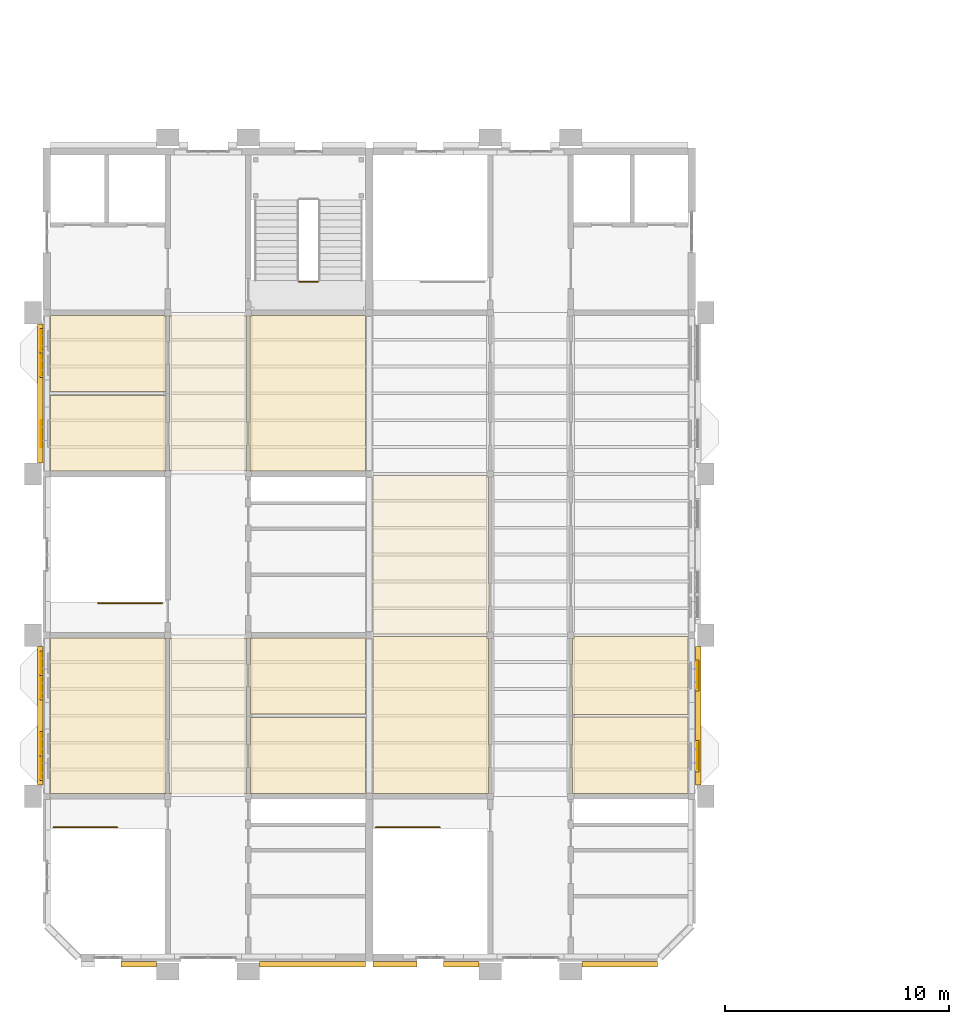
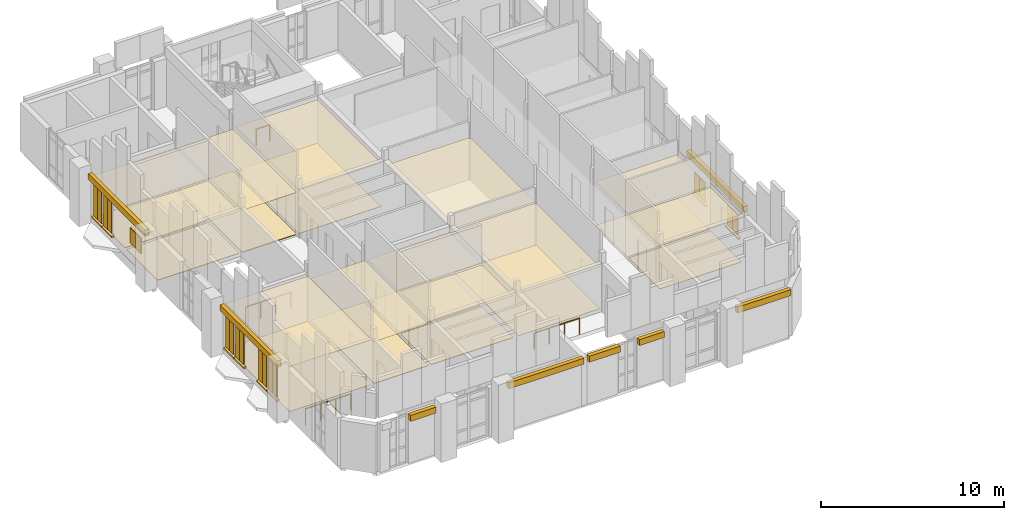
# One storey, part 46 of 51: 57 coverings, 4 railings.
"""IFC4 building model written with IfcOpenShell, lengths in metres."""

from ifc_helpers import new_model, si_unit, direction, frame, origin, origin_2d, place, context, subcontext, project, spatial, polyline, rectangle, circle, outline, extrude, material, layer, layer_set, type_object, element, save


model = new_model("IFC4")

# Units and contexts
model_context = context("Model", 3, precision=1e-05, world=origin(), true_north=direction((0.0, 1.0)))
body_context = subcontext(model_context, "Body", "Model", "MODEL_VIEW")
ifc_project = project(units=[si_unit("LENGTHUNIT", "METRE"), si_unit("AREAUNIT", "SQUARE_METRE"), si_unit("VOLUMEUNIT", "CUBIC_METRE"), si_unit("PLANEANGLEUNIT", "RADIAN"), si_unit("MASSUNIT", "GRAM", prefix="KILO")], contexts=[model_context])

# Site, building, storey
site_placement = place(None, origin())
site = spatial("IfcSite", under=ifc_project, at=site_placement, CompositionType="ELEMENT")
building_placement = place(site_placement, origin())
building = spatial("IfcBuilding", under=site, at=building_placement, Name="Mazhai Court Health Centre", CompositionType="ELEMENT")
storey_placement = place(building_placement, frame((0.0, 0.0, 14.10009765625)))
storey = spatial("IfcBuildingStorey", under=building, at=storey_placement, Name="L03", CompositionType="ELEMENT", Elevation=14.10009765625)

# Coverings
ifc_material_1 = material(Name="Clay brick masonry", Category="masonry")
ifc_layer_1 = layer(ifc_material_1, 0.25)
ifc_layer_set_1 = layer_set([ifc_layer_1], Name="BRICK BAND 250")
covering_type_1 = type_object("IfcCoveringType", Name="BRICK BAND 250", PredefinedType="MOLDING", material=ifc_layer_set_1)
covering_1_placement = place(storey_placement, frame((0.0, 0.0, 2.949951171875)))
element("IfcCovering", 1, at=covering_1_placement, inside=storey, type_object=covering_type_1, Name="EB-V2-L03-A1p0-0", PredefinedType="MOLDING", context=body_context, shape_type="SweptSolid", body=[
    extrude(outline(polyline([(6.034912109375, 13.89990234375), (6.034912109375, 20.10009765625), (5.784912109375, 20.10009765625), (5.784912109375, 13.89990234375), (6.034912109375, 13.89990234375)])), origin(), (0.0, 0.0, 1.0), 0.39990234375),
])
covering_2_placement = place(storey_placement, frame((0.0, 0.0, 2.949951171875)))
element("IfcCovering", 2, at=covering_2_placement, inside=storey, type_object=covering_type_1, Name="EB-V2-L03-A3p0-0", PredefinedType="MOLDING", context=body_context, shape_type="SweptSolid", body=[
    extrude(outline(polyline([(6.034912109375, 28.300048828125), (6.034912109375, 34.5), (5.784912109375, 34.5), (5.784912109375, 28.300048828125), (6.034912109375, 28.300048828125)])), origin(), (0.0, 0.0, 1.0), 0.39990234375),
])
covering_3_placement = place(storey_placement, frame((0.0, 0.0, 2.949951171875)))
element("IfcCovering", 3, at=covering_3_placement, inside=storey, type_object=covering_type_1, Name="EB-V2-L03-Sp1-1", PredefinedType="MOLDING", context=body_context, shape_type="SweptSolid", body=[
    extrude(outline(polyline([(11.10009765625, 6.034912109375), (9.52001953125, 6.034912109375), (9.52001953125, 5.784912109375), (11.10009765625, 5.784912109375), (11.10009765625, 6.034912109375)])), origin(), (0.0, 0.0, 1.0), 0.39990234375),
])
covering_4_placement = place(storey_placement, frame((0.0, 0.0, 2.949951171875)))
element("IfcCovering", 4, at=covering_4_placement, inside=storey, type_object=covering_type_1, Name="EB-V2-L03-Sp2-0", PredefinedType="MOLDING", context=body_context, shape_type="SweptSolid", body=[
    extrude(outline(polyline([(20.43505859375, 6.034912109375), (15.699951171875, 6.034912109375), (15.699951171875, 5.784912109375), (20.43505859375, 5.784912109375), (20.43505859375, 6.034912109375)])), origin(), (0.0, 0.0, 1.0), 0.39990234375),
])
covering_5_placement = place(storey_placement, frame((0.0, 0.0, 2.949951171875)))
element("IfcCovering", 5, at=covering_5_placement, inside=storey, type_object=covering_type_1, Name="EB-V5-L03-B1p0-0", PredefinedType="MOLDING", context=body_context, shape_type="SweptSolid", body=[
    extrude(outline(polyline([(35.1650390625, 20.10009765625), (35.1650390625, 13.89990234375), (35.4150390625, 13.89990234375), (35.4150390625, 20.10009765625), (35.1650390625, 20.10009765625)])), origin(), (0.0, 0.0, 1.0), 0.39990234375),
])
covering_6_placement = place(storey_placement, frame((0.0, 0.0, 2.949951171875)))
element("IfcCovering", 6, at=covering_6_placement, inside=storey, type_object=covering_type_1, Name="EB-V5-L03-Sp0-0", PredefinedType="MOLDING", context=body_context, shape_type="SweptSolid", body=[
    extrude(outline(polyline([(22.719970703125, 6.034912109375), (20.764892578125, 6.034912109375), (20.764892578125, 5.784912109375), (22.719970703125, 5.784912109375), (22.719970703125, 6.034912109375)])), origin(), (0.0, 0.0, 1.0), 0.39990234375),
])
covering_7_placement = place(storey_placement, frame((0.0, 0.0, 2.949951171875)))
element("IfcCovering", 7, at=covering_7_placement, inside=storey, type_object=covering_type_1, Name="EB-V5-L03-Sp1-1", PredefinedType="MOLDING", context=body_context, shape_type="SweptSolid", body=[
    extrude(outline(polyline([(25.5, 6.034912109375), (23.919921875, 6.034912109375), (23.919921875, 5.784912109375), (25.5, 5.784912109375), (25.5, 6.034912109375)])), origin(), (0.0, 0.0, 1.0), 0.39990234375),
])
covering_8_placement = place(storey_placement, frame((0.0, 0.0, 2.949951171875)))
element("IfcCovering", 8, at=covering_8_placement, inside=storey, type_object=covering_type_1, Name="EB-V5-L03-Sp2-0", PredefinedType="MOLDING", context=body_context, shape_type="SweptSolid", body=[
    extrude(outline(polyline([(33.468994140625, 6.034912109375), (30.10009765625, 6.034912109375), (30.10009765625, 5.784912109375), (33.468994140625, 5.784912109375), (33.468994140625, 6.034912109375)])), origin(), (0.0, 0.0, 1.0), 0.39990234375),
])
ifc_material_2 = material(Name="Clay brick masonry", Category="masonry")
ifc_layer_2 = layer(ifc_material_2, 0.14990234375)
ifc_layer_set_2 = layer_set([ifc_layer_2], Name="BRICK SILL COURSE 150")
covering_type_2 = type_object("IfcCoveringType", Name="BRICK SILL COURSE 150", PredefinedType="MOLDING", material=ifc_layer_set_2)
covering_9_placement = place(storey_placement, frame((0.0, 0.0, 0.47998046875)))
element("IfcCovering", 9, at=covering_9_placement, inside=storey, type_object=covering_type_2, Name="ES-WN-V2-L03-A10a", PredefinedType="MOLDING", context=body_context, shape_type="SweptSolid", body=[
    extrude(outline(polyline([(6.034912109375, 14.10009765625), (6.034912109375, 15.199951171875), (5.885009765625, 15.199951171875), (5.885009765625, 14.10009765625), (6.034912109375, 14.10009765625)])), origin(), (0.0, 0.0, 1.0), 0.119873046875),
])
covering_10_placement = place(storey_placement, frame((0.0, 0.0, 0.47998046875)))
element("IfcCovering", 10, at=covering_10_placement, inside=storey, type_object=covering_type_2, Name="ES-WN-V2-L03-A10b", PredefinedType="MOLDING", context=body_context, shape_type="SweptSolid", body=[
    extrude(outline(polyline([(6.034912109375, 15.199951171875), (6.034912109375, 16.300048828125), (5.885009765625, 16.300048828125), (5.885009765625, 15.199951171875), (6.034912109375, 15.199951171875)])), origin(), (0.0, 0.0, 1.0), 0.119873046875),
])
covering_11_placement = place(storey_placement, frame((0.0, 0.0, 0.47998046875)))
element("IfcCovering", 11, at=covering_11_placement, inside=storey, type_object=covering_type_2, Name="ES-WN-V2-L03-A11a", PredefinedType="MOLDING", context=body_context, shape_type="SweptSolid", body=[
    extrude(outline(polyline([(6.034912109375, 17.699951171875), (6.034912109375, 18.800048828125), (5.885009765625, 18.800048828125), (5.885009765625, 17.699951171875), (6.034912109375, 17.699951171875)])), origin(), (0.0, 0.0, 1.0), 0.119873046875),
])
covering_12_placement = place(storey_placement, frame((0.0, 0.0, 0.47998046875)))
element("IfcCovering", 12, at=covering_12_placement, inside=storey, type_object=covering_type_2, Name="ES-WN-V2-L03-A11b", PredefinedType="MOLDING", context=body_context, shape_type="SweptSolid", body=[
    extrude(outline(polyline([(6.034912109375, 18.800048828125), (6.034912109375, 19.89990234375), (5.885009765625, 19.89990234375), (5.885009765625, 18.800048828125), (6.034912109375, 18.800048828125)])), origin(), (0.0, 0.0, 1.0), 0.119873046875),
])
covering_13_placement = place(storey_placement, frame((0.0, 0.0, 0.47998046875)))
element("IfcCovering", 13, at=covering_13_placement, inside=storey, type_object=covering_type_2, Name="ES-WN-V2-L03-A31a", PredefinedType="MOLDING", context=body_context, shape_type="SweptSolid", body=[
    extrude(outline(polyline([(6.034912109375, 32.10009765625), (6.034912109375, 33.199951171875), (5.885009765625, 33.199951171875), (5.885009765625, 32.10009765625), (6.034912109375, 32.10009765625)])), origin(), (0.0, 0.0, 1.0), 0.119873046875),
])
covering_14_placement = place(storey_placement, frame((0.0, 0.0, 0.47998046875)))
element("IfcCovering", 14, at=covering_14_placement, inside=storey, type_object=covering_type_2, Name="ES-WN-V2-L03-A31b", PredefinedType="MOLDING", context=body_context, shape_type="SweptSolid", body=[
    extrude(outline(polyline([(6.034912109375, 33.199951171875), (6.034912109375, 34.300048828125), (5.885009765625, 34.300048828125), (5.885009765625, 33.199951171875), (6.034912109375, 33.199951171875)])), origin(), (0.0, 0.0, 1.0), 0.119873046875),
])
covering_15_placement = place(storey_placement, frame((0.0, 0.0, 0.77978515625)))
element("IfcCovering", 15, at=covering_15_placement, inside=storey, type_object=covering_type_2, Name="ES-WN-V5-L03-B10", PredefinedType="MOLDING", context=body_context, shape_type="SweptSolid", body=[
    extrude(outline(polyline([(35.1650390625, 15.89990234375), (35.1650390625, 14.5), (35.31494140625, 14.5), (35.31494140625, 15.89990234375), (35.1650390625, 15.89990234375)])), origin(), (0.0, 0.0, 1.0), 0.1201171875),
])
covering_16_placement = place(storey_placement, frame((0.0, 0.0, 0.77978515625)))
element("IfcCovering", 16, at=covering_16_placement, inside=storey, type_object=covering_type_2, Name="ES-WN-V5-L03-B11", PredefinedType="MOLDING", context=body_context, shape_type="SweptSolid", body=[
    extrude(outline(polyline([(35.1650390625, 19.5), (35.1650390625, 18.10009765625), (35.31494140625, 18.10009765625), (35.31494140625, 19.5), (35.1650390625, 19.5)])), origin(), (0.0, 0.0, 1.0), 0.1201171875),
])
ifc_material_3 = material(Name="Gypsum plasterboard ceiling")
ifc_layer_3 = layer(ifc_material_3, 0.02001953125)
ifc_layer_set_3 = layer_set([ifc_layer_3], Name="CEILING GYPSUM BOARD 20")
covering_type_3 = type_object("IfcCoveringType", Name="CEILING GYPSUM BOARD 20", PredefinedType="CEILING", material=ifc_layer_set_3)
covering_17_placement = place(storey_placement, frame((0.0, 0.0, 2.7998046875)))
element("IfcCovering", 17, at=covering_17_placement, inside=storey, type_object=covering_type_3, Name="ceil-V2-L03-A1-ot-ahu-plant-room", PredefinedType="CEILING", context=body_context, shape_type="SweptSolid", body=[
    extrude(outline(polyline([(11.4599609375, 27.925048828125), (11.4599609375, 27.93994140625), (11.512451171875, 27.93994140625), (11.512451171875, 31.3125), (6.364990234375, 31.3125), (6.364990234375, 27.925048828125), (11.4599609375, 27.925048828125)])), origin(), (0.0, 0.0, 1.0), 0.02001953125),
])
covering_18_placement = place(storey_placement, frame((0.0, 0.0, 2.7998046875)))
element("IfcCovering", 18, at=covering_18_placement, inside=storey, type_object=covering_type_3, Name="ceil-V2-L03-A1-operating-suite-power-distribution-room", PredefinedType="CEILING", context=body_context, shape_type="SweptSolid", body=[
    extrude(outline(polyline([(11.512451171875, 34.860107421875), (11.4599609375, 34.860107421875), (11.4599609375, 34.875), (6.364990234375, 34.875), (6.364990234375, 31.487548828125), (11.512451171875, 31.487548828125), (11.512451171875, 34.860107421875)])), origin(), (0.0, 0.0, 1.0), 0.02001953125),
])
covering_19_placement = place(storey_placement, frame((0.0, 0.0, 2.7998046875)))
element("IfcCovering", 19, at=covering_19_placement, inside=storey, type_object=covering_type_3, Name="ceil-V2-L03-B0-operating-suite-battery-room", PredefinedType="CEILING", context=body_context, shape_type="SweptSolid", body=[
    extrude(outline(polyline([(15.28759765625, 13.5400390625), (15.340087890625, 13.5400390625), (15.340087890625, 13.52490234375), (20.43505859375, 13.52490234375), (20.43505859375, 16.91259765625), (15.28759765625, 16.91259765625), (15.28759765625, 13.5400390625)])), origin(), (0.0, 0.0, 1.0), 0.02001953125),
])
covering_20_placement = place(storey_placement, frame((0.0, 0.0, 2.7998046875)))
element("IfcCovering", 20, at=covering_20_placement, inside=storey, type_object=covering_type_3, Name="ceil-V2-L03-B0-medical-gas-manifold-room", PredefinedType="CEILING", context=body_context, shape_type="SweptSolid", body=[
    extrude(outline(polyline([(15.340087890625, 20.47509765625), (15.340087890625, 20.4599609375), (15.28759765625, 20.4599609375), (15.28759765625, 17.08740234375), (20.43505859375, 17.08740234375), (20.43505859375, 20.47509765625), (15.340087890625, 20.47509765625)])), origin(), (0.0, 0.0, 1.0), 0.02001953125),
])
covering_21_placement = place(storey_placement, frame((0.0, 0.0, 2.89990234375)))
element("IfcCovering", 21, at=covering_21_placement, inside=storey, type_object=covering_type_3, Name="ceil-V2-L03-B1-staff-change-and-rest-room", PredefinedType="CEILING", context=body_context, shape_type="SweptSolid", body=[
    extrude(outline(polyline([(15.340087890625, 34.875), (15.340087890625, 34.860107421875), (15.27490234375, 34.860107421875), (15.27490234375, 27.93994140625), (15.340087890625, 27.93994140625), (15.340087890625, 27.925048828125), (20.43505859375, 27.925048828125), (20.43505859375, 34.875), (15.340087890625, 34.875)])), origin(), (0.0, 0.0, 1.0), 0.02001953125),
])
covering_22_placement = place(storey_placement, frame((0.0, 0.0, 2.7998046875)))
element("IfcCovering", 22, at=covering_22_placement, inside=storey, type_object=covering_type_3, Name="ceil-V5-L03-A0-clinical-skills-training-room", PredefinedType="CEILING", context=body_context, shape_type="SweptSolid", body=[
    extrude(outline(polyline([(25.925048828125, 20.4599609375), (25.860107421875, 20.4599609375), (25.860107421875, 20.53759765625), (20.764892578125, 20.53759765625), (20.764892578125, 13.52490234375), (25.860107421875, 13.52490234375), (25.860107421875, 13.5400390625), (25.925048828125, 13.5400390625), (25.925048828125, 20.4599609375)])), origin(), (0.0, 0.0, 1.0), 0.02001953125),
])
covering_23_placement = place(storey_placement, frame((0.0, 0.0, 2.7998046875)))
element("IfcCovering", 23, at=covering_23_placement, inside=storey, type_object=covering_type_3, Name="ceil-V5-L03-A0-lecture-room", PredefinedType="CEILING", context=body_context, shape_type="SweptSolid", body=[
    extrude(outline(polyline([(25.925048828125, 27.659912109375), (25.860107421875, 27.659912109375), (25.860107421875, 27.737548828125), (20.764892578125, 27.737548828125), (20.764892578125, 20.66259765625), (25.860107421875, 20.66259765625), (25.860107421875, 20.739990234375), (25.925048828125, 20.739990234375), (25.925048828125, 27.659912109375)])), origin(), (0.0, 0.0, 1.0), 0.02001953125),
])
covering_24_placement = place(storey_placement, frame((0.0, 0.0, 2.89990234375)))
element("IfcCovering", 24, at=covering_24_placement, inside=storey, type_object=covering_type_3, Name="ceil-V5-L03-B0-clinical-governance-office", PredefinedType="CEILING", context=body_context, shape_type="SweptSolid", body=[
    extrude(outline(polyline([(29.675048828125, 13.5400390625), (29.739990234375, 13.5400390625), (29.739990234375, 13.52490234375), (34.8349609375, 13.52490234375), (34.8349609375, 16.9375), (29.675048828125, 16.9375), (29.675048828125, 13.5400390625)])), origin(), (0.0, 0.0, 1.0), 0.02001953125),
])
covering_25_placement = place(storey_placement, frame((0.0, 0.0, 2.89990234375)))
element("IfcCovering", 25, at=covering_25_placement, inside=storey, type_object=covering_type_3, Name="ceil-V5-L03-B0-medical-director-office", PredefinedType="CEILING", context=body_context, shape_type="SweptSolid", body=[
    extrude(outline(polyline([(29.739990234375, 20.53759765625), (29.739990234375, 20.4599609375), (29.675048828125, 20.4599609375), (29.675048828125, 17.0625), (34.8349609375, 17.0625), (34.8349609375, 20.53759765625), (29.739990234375, 20.53759765625)])), origin(), (0.0, 0.0, 1.0), 0.02001953125),
])
ifc_material_4 = material(Name="Mineral fibre ceiling tile")
ifc_layer_4 = layer(ifc_material_4, 0.014892578125)
ifc_layer_set_4 = layer_set([ifc_layer_4], Name="CEILING MINERAL FIBRE TILE 15")
covering_type_4 = type_object("IfcCoveringType", Name="CEILING MINERAL FIBRE TILE 15", PredefinedType="CEILING", material=ifc_layer_set_4)
covering_26_placement = place(storey_placement, frame((0.0, 0.0, 2.7998046875)))
element("IfcCovering", 26, at=covering_26_placement, inside=storey, type_object=covering_type_4, Name="ceil-V2-L03-corridor-0", PredefinedType="CEILING", context=body_context, shape_type="SweptSolid", body=[
    extrude(outline(polyline([(15.06005859375, 13.52490234375), (15.06005859375, 13.5400390625), (15.112548828125, 13.5400390625), (15.112548828125, 20.4599609375), (15.06005859375, 20.4599609375), (15.06005859375, 20.47509765625), (11.739990234375, 20.47509765625), (11.739990234375, 20.4599609375), (11.6875, 20.4599609375), (11.6875, 13.5400390625), (11.739990234375, 13.5400390625), (11.739990234375, 13.52490234375), (15.06005859375, 13.52490234375)])), origin(), (0.0, 0.0, 1.0), 0.01513671875),
])
covering_27_placement = place(storey_placement, frame((0.0, 0.0, 2.7998046875)))
element("IfcCovering", 27, at=covering_27_placement, inside=storey, type_object=covering_type_4, Name="ceil-V2-L03-corridor-1", PredefinedType="CEILING", context=body_context, shape_type="SweptSolid", body=[
    extrude(outline(polyline([(15.06005859375, 27.925048828125), (15.06005859375, 27.93994140625), (15.125, 27.93994140625), (15.125, 34.860107421875), (15.06005859375, 34.860107421875), (15.06005859375, 34.875), (11.739990234375, 34.875), (11.739990234375, 34.860107421875), (11.6875, 34.860107421875), (11.6875, 27.93994140625), (11.739990234375, 27.93994140625), (11.739990234375, 27.925048828125), (15.06005859375, 27.925048828125)])), origin(), (0.0, 0.0, 1.0), 0.01513671875),
])
ifc_material_5 = material(Name="Sealed gypsum plasterboard ceiling")
ifc_layer_5 = layer(ifc_material_5, 0.02490234375)
ifc_layer_set_5 = layer_set([ifc_layer_5], Name="CEILING SEALED GYPSUM BOARD 25")
covering_type_5 = type_object("IfcCoveringType", Name="CEILING SEALED GYPSUM BOARD 25", PredefinedType="CEILING", material=ifc_layer_set_5)
covering_28_placement = place(storey_placement, frame((0.0, 0.0, 3.0)))
element("IfcCovering", 28, at=covering_28_placement, inside=storey, type_object=covering_type_5, Name="ceil-V2-L03-A0-sterile-services-department", PredefinedType="CEILING", context=body_context, shape_type="SweptSolid", body=[
    extrude(outline(polyline([(11.512451171875, 20.4599609375), (11.4599609375, 20.4599609375), (11.4599609375, 20.47509765625), (6.364990234375, 20.47509765625), (6.364990234375, 13.52490234375), (11.4599609375, 13.52490234375), (11.4599609375, 13.5400390625), (11.512451171875, 13.5400390625), (11.512451171875, 20.4599609375)])), origin(), (0.0, 0.0, 1.0), 0.02490234375),
])
ifc_material_6 = material(Name="Antistatic vinyl flooring")
ifc_layer_6 = layer(ifc_material_6, 0.02001953125)
ifc_layer_set_6 = layer_set([ifc_layer_6], Name="FLOOR FINISH ANTISTATIC VINYL FLOORING 20")
covering_type_6 = type_object("IfcCoveringType", Name="FLOOR FINISH ANTISTATIC VINYL FLOORING 20", PredefinedType="FLOORING", material=ifc_layer_set_6)
covering_29_placement = place(storey_placement, origin())
element("IfcCovering", 29, at=covering_29_placement, inside=storey, type_object=covering_type_6, Name="floor-V2-L03-A0-sterile-services-department", PredefinedType="FLOORING", context=body_context, shape_type="SweptSolid", body=[
    extrude(outline(polyline([(11.512451171875, 20.4599609375), (11.4599609375, 20.4599609375), (11.4599609375, 20.47509765625), (6.364990234375, 20.47509765625), (6.364990234375, 13.52490234375), (11.4599609375, 13.52490234375), (11.4599609375, 13.5400390625), (11.512451171875, 13.5400390625), (11.512451171875, 20.4599609375)])), origin(), (0.0, 0.0, 1.0), 0.02001953125),
])
ifc_material_7 = material(Name="Epoxy floor screed")
ifc_layer_7 = layer(ifc_material_7, 0.034912109375)
ifc_layer_set_7 = layer_set([ifc_layer_7], Name="FLOOR FINISH EPOXY FLOOR SCREED 35")
covering_type_7 = type_object("IfcCoveringType", Name="FLOOR FINISH EPOXY FLOOR SCREED 35", PredefinedType="FLOORING", material=ifc_layer_set_7)
covering_30_placement = place(storey_placement, origin())
element("IfcCovering", 30, at=covering_30_placement, inside=storey, type_object=covering_type_7, Name="floor-V2-L03-A1-ot-ahu-plant-room", PredefinedType="FLOORING", context=body_context, shape_type="SweptSolid", body=[
    extrude(outline(polyline([(11.4599609375, 27.925048828125), (11.4599609375, 27.93994140625), (11.512451171875, 27.93994140625), (11.512451171875, 31.3125), (6.364990234375, 31.3125), (6.364990234375, 27.925048828125), (11.4599609375, 27.925048828125)])), origin(), (0.0, 0.0, 1.0), 0.034912109375),
])
covering_31_placement = place(storey_placement, origin())
element("IfcCovering", 31, at=covering_31_placement, inside=storey, type_object=covering_type_7, Name="floor-V2-L03-A1-operating-suite-power-distribution-room", PredefinedType="FLOORING", context=body_context, shape_type="SweptSolid", body=[
    extrude(outline(polyline([(11.512451171875, 34.860107421875), (11.4599609375, 34.860107421875), (11.4599609375, 34.875), (6.364990234375, 34.875), (6.364990234375, 31.487548828125), (11.512451171875, 31.487548828125), (11.512451171875, 34.860107421875)])), origin(), (0.0, 0.0, 1.0), 0.034912109375),
])
covering_32_placement = place(storey_placement, origin())
element("IfcCovering", 32, at=covering_32_placement, inside=storey, type_object=covering_type_7, Name="floor-V2-L03-B0-operating-suite-battery-room", PredefinedType="FLOORING", context=body_context, shape_type="SweptSolid", body=[
    extrude(outline(polyline([(15.28759765625, 13.5400390625), (15.340087890625, 13.5400390625), (15.340087890625, 13.52490234375), (20.43505859375, 13.52490234375), (20.43505859375, 16.91259765625), (15.28759765625, 16.91259765625), (15.28759765625, 13.5400390625)])), origin(), (0.0, 0.0, 1.0), 0.034912109375),
])
covering_33_placement = place(storey_placement, origin())
element("IfcCovering", 33, at=covering_33_placement, inside=storey, type_object=covering_type_7, Name="floor-V2-L03-B0-medical-gas-manifold-room", PredefinedType="FLOORING", context=body_context, shape_type="SweptSolid", body=[
    extrude(outline(polyline([(15.340087890625, 20.47509765625), (15.340087890625, 20.4599609375), (15.28759765625, 20.4599609375), (15.28759765625, 17.08740234375), (20.43505859375, 17.08740234375), (20.43505859375, 20.47509765625), (15.340087890625, 20.47509765625)])), origin(), (0.0, 0.0, 1.0), 0.034912109375),
])
ifc_material_8 = material(Name="Heavy duty vinyl flooring")
ifc_layer_8 = layer(ifc_material_8, 0.02001953125)
ifc_layer_set_8 = layer_set([ifc_layer_8], Name="FLOOR FINISH HEAVY DUTY VINYL FLOORING 20")
covering_type_8 = type_object("IfcCoveringType", Name="FLOOR FINISH HEAVY DUTY VINYL FLOORING 20", PredefinedType="FLOORING", material=ifc_layer_set_8)
covering_34_placement = place(storey_placement, origin())
element("IfcCovering", 34, at=covering_34_placement, inside=storey, type_object=covering_type_8, Name="floor-V5-L03-A0-clinical-skills-training-room", PredefinedType="FLOORING", context=body_context, shape_type="SweptSolid", body=[
    extrude(outline(polyline([(25.925048828125, 20.4599609375), (25.860107421875, 20.4599609375), (25.860107421875, 20.53759765625), (20.764892578125, 20.53759765625), (20.764892578125, 13.52490234375), (25.860107421875, 13.52490234375), (25.860107421875, 13.5400390625), (25.925048828125, 13.5400390625), (25.925048828125, 20.4599609375)])), origin(), (0.0, 0.0, 1.0), 0.02001953125),
])
ifc_material_9 = material(Name="Linoleum flooring")
ifc_layer_9 = layer(ifc_material_9, 0.02001953125)
ifc_layer_set_9 = layer_set([ifc_layer_9], Name="FLOOR FINISH LINOLEUM FLOORING 20")
covering_type_9 = type_object("IfcCoveringType", Name="FLOOR FINISH LINOLEUM FLOORING 20", PredefinedType="FLOORING", material=ifc_layer_set_9)
covering_35_placement = place(storey_placement, origin())
element("IfcCovering", 35, at=covering_35_placement, inside=storey, type_object=covering_type_9, Name="floor-V2-L03-B1-staff-change-and-rest-room", PredefinedType="FLOORING", context=body_context, shape_type="SweptSolid", body=[
    extrude(outline(polyline([(15.340087890625, 34.875), (15.340087890625, 34.860107421875), (15.27490234375, 34.860107421875), (15.27490234375, 27.93994140625), (15.340087890625, 27.93994140625), (15.340087890625, 27.925048828125), (20.43505859375, 27.925048828125), (20.43505859375, 34.875), (15.340087890625, 34.875)])), origin(), (0.0, 0.0, 1.0), 0.02001953125),
])
covering_36_placement = place(storey_placement, origin())
element("IfcCovering", 36, at=covering_36_placement, inside=storey, type_object=covering_type_9, Name="floor-V5-L03-B0-clinical-governance-office", PredefinedType="FLOORING", context=body_context, shape_type="SweptSolid", body=[
    extrude(outline(polyline([(29.675048828125, 13.5400390625), (29.739990234375, 13.5400390625), (29.739990234375, 13.52490234375), (34.8349609375, 13.52490234375), (34.8349609375, 16.9375), (29.675048828125, 16.9375), (29.675048828125, 13.5400390625)])), origin(), (0.0, 0.0, 1.0), 0.02001953125),
])
covering_37_placement = place(storey_placement, origin())
element("IfcCovering", 37, at=covering_37_placement, inside=storey, type_object=covering_type_9, Name="floor-V5-L03-B0-medical-director-office", PredefinedType="FLOORING", context=body_context, shape_type="SweptSolid", body=[
    extrude(outline(polyline([(29.739990234375, 20.53759765625), (29.739990234375, 20.4599609375), (29.675048828125, 20.4599609375), (29.675048828125, 17.0625), (34.8349609375, 17.0625), (34.8349609375, 20.53759765625), (29.739990234375, 20.53759765625)])), origin(), (0.0, 0.0, 1.0), 0.02001953125),
])
ifc_material_10 = material(Name="Terrazzo flooring")
ifc_layer_10 = layer(ifc_material_10, 0.0400390625)
ifc_layer_set_10 = layer_set([ifc_layer_10], Name="FLOOR FINISH TERRAZZO FLOORING 40")
covering_type_10 = type_object("IfcCoveringType", Name="FLOOR FINISH TERRAZZO FLOORING 40", PredefinedType="FLOORING", material=ifc_layer_set_10)
covering_38_placement = place(storey_placement, origin())
element("IfcCovering", 38, at=covering_38_placement, inside=storey, type_object=covering_type_10, Name="floor-V2-L03-corridor-0", PredefinedType="FLOORING", context=body_context, shape_type="SweptSolid", body=[
    extrude(outline(polyline([(15.06005859375, 13.52490234375), (15.06005859375, 13.5400390625), (15.112548828125, 13.5400390625), (15.112548828125, 20.4599609375), (15.06005859375, 20.4599609375), (15.06005859375, 20.47509765625), (11.739990234375, 20.47509765625), (11.739990234375, 20.4599609375), (11.6875, 20.4599609375), (11.6875, 13.5400390625), (11.739990234375, 13.5400390625), (11.739990234375, 13.52490234375), (15.06005859375, 13.52490234375)])), origin(), (0.0, 0.0, 1.0), 0.039794921875),
])
covering_39_placement = place(storey_placement, origin())
element("IfcCovering", 39, at=covering_39_placement, inside=storey, type_object=covering_type_10, Name="floor-V2-L03-corridor-1", PredefinedType="FLOORING", context=body_context, shape_type="SweptSolid", body=[
    extrude(outline(polyline([(15.06005859375, 27.925048828125), (15.06005859375, 27.93994140625), (15.125, 27.93994140625), (15.125, 34.860107421875), (15.06005859375, 34.860107421875), (15.06005859375, 34.875), (11.739990234375, 34.875), (11.739990234375, 34.860107421875), (11.6875, 34.860107421875), (11.6875, 27.93994140625), (11.739990234375, 27.93994140625), (11.739990234375, 27.925048828125), (15.06005859375, 27.925048828125)])), origin(), (0.0, 0.0, 1.0), 0.039794921875),
])
ifc_material_11 = material(Name="Aluminium louvre", Category="aluminium")
ifc_layer_11 = layer(ifc_material_11, 0.0400390625)
ifc_layer_set_11 = layer_set([ifc_layer_11], Name="SHUTTER LEAF 600x40")
covering_type_11 = type_object("IfcCoveringType", Name="SHUTTER LEAF 600x40", PredefinedType="CLADDING", material=ifc_layer_set_11)
for number, where, z_axis, x_axis, name in (
    (40, (5.955078125, 14.425048828125, 0.69970703125), (0.0, 0.0, 1.0), (0.0, 1.0, 0.0), "LV-V2-L03-A10aa"),
    (41, (5.955078125, 14.875, 0.69970703125), (0.0, 0.0, 1.0), (0.0, 1.0, 0.0), "LV-V2-L03-A10ab"),
    (42, (5.955078125, 15.52490234375, 0.69970703125), (0.0, 0.0, 1.0), (0.0, 1.0, 0.0), "LV-V2-L03-A10ba"),
    (43, (5.955078125, 15.97509765625, 0.69970703125), (0.0, 0.0, 1.0), (0.0, 1.0, 0.0), "LV-V2-L03-A10bb"),
    (44, (5.955078125, 18.02490234375, 0.69970703125), (0.0, 0.0, 1.0), (0.0, 1.0, 0.0), "LV-V2-L03-A11aa"),
    (45, (5.955078125, 18.47509765625, 0.69970703125), (0.0, 0.0, 1.0), (0.0, 1.0, 0.0), "LV-V2-L03-A11ab"),
    (46, (5.955078125, 19.125, 0.69970703125), (0.0, 0.0, 1.0), (0.0, 1.0, 0.0), "LV-V2-L03-A11ba"),
    (47, (5.955078125, 19.574951171875, 0.69970703125), (0.0, 0.0, 1.0), (0.0, 1.0, 0.0), "LV-V2-L03-A11bb"),
):
    element("IfcCovering", number, at=place(storey_placement, frame(where, z_axis=z_axis, x_axis=x_axis)), inside=storey, type_object=covering_type_11, Name=name, PredefinedType="CLADDING", context=body_context, shape_type="SweptSolid", body=[
        extrude(rectangle(XDim=0.449951171875, YDim=0.0400390625, at=origin_2d()), origin(), (0.0, 0.0, 1.0), 2.199951171875),
    ])
for number, where, z_axis, x_axis, name in (
    (48, (5.955078125, 29.300048828125, 1.2998046875), (0.0, 0.0, 1.0), (0.0, 1.0, 0.0), "LV-V2-L03-A30a"),
    (49, (5.955078125, 29.89990234375, 1.2998046875), (0.0, 0.0, 1.0), (0.0, 1.0, 0.0), "LV-V2-L03-A30b"),
):
    element("IfcCovering", number, at=place(storey_placement, frame(where, z_axis=z_axis, x_axis=x_axis)), inside=storey, type_object=covering_type_11, Name=name, PredefinedType="CLADDING", context=body_context, shape_type="SweptSolid", body=[
        extrude(rectangle(XDim=0.60009765625, YDim=0.0400390625, at=origin_2d()), origin(), (0.0, 0.0, 1.0), 1.0),
    ])
for number, where, z_axis, x_axis, name in (
    (50, (5.955078125, 32.425048828125, 0.69970703125), (0.0, 0.0, 1.0), (0.0, 1.0, 0.0), "LV-V2-L03-A31aa"),
    (51, (5.955078125, 32.875, 0.69970703125), (0.0, 0.0, 1.0), (0.0, 1.0, 0.0), "LV-V2-L03-A31ab"),
    (52, (5.955078125, 33.52490234375, 0.69970703125), (0.0, 0.0, 1.0), (0.0, 1.0, 0.0), "LV-V2-L03-A31ba"),
    (53, (5.955078125, 33.97509765625, 0.69970703125), (0.0, 0.0, 1.0), (0.0, 1.0, 0.0), "LV-V2-L03-A31bb"),
):
    element("IfcCovering", number, at=place(storey_placement, frame(where, z_axis=z_axis, x_axis=x_axis)), inside=storey, type_object=covering_type_11, Name=name, PredefinedType="CLADDING", context=body_context, shape_type="SweptSolid", body=[
        extrude(rectangle(XDim=0.449951171875, YDim=0.0400390625, at=origin_2d()), origin(), (0.0, 0.0, 1.0), 2.199951171875),
    ])
for number, where, z_axis, x_axis, name in (
    (54, (35.2451171875, 14.89990234375, 1.0), (0.0, 0.0, 1.0), (0.0, 1.0, 0.0), "LV-V5-L03-B10a"),
    (55, (35.2451171875, 15.5, 1.0), (0.0, 0.0, 1.0), (0.0, 1.0, 0.0), "LV-V5-L03-B10b"),
    (56, (35.2451171875, 18.5, 1.0), (0.0, 0.0, 1.0), (0.0, 1.0, 0.0), "LV-V5-L03-B11a"),
    (57, (35.2451171875, 19.10009765625, 1.0), (0.0, 0.0, 1.0), (0.0, 1.0, 0.0), "LV-V5-L03-B11b"),
):
    element("IfcCovering", number, at=place(storey_placement, frame(where, z_axis=z_axis, x_axis=x_axis)), inside=storey, type_object=covering_type_11, Name=name, PredefinedType="CLADDING", context=body_context, shape_type="SweptSolid", body=[
        extrude(rectangle(XDim=0.60009765625, YDim=0.0400390625, at=origin_2d()), origin(), (0.0, 0.0, 1.0), 1.300048828125),
    ])

# Railings
ifc_material_12 = material(Name="Steel IS 2062 E250", Category="steel")
railing_type = type_object("IfcRailingType", Name="STAIR GUARD 1100", PredefinedType="GUARDRAIL", material=ifc_material_12)
railing_1_placement = place(storey_placement, frame((6.4951171875, 12.014892578125, 0.0)))
element("IfcRailing", 58, at=railing_1_placement, inside=storey, type_object=railing_type, Name="L03 ST1 top well guard 1", PredefinedType="GUARDRAIL", context=body_context, shape_type="SweptSolid", body=[
    extrude(circle(Radius=0.02392578125, at=origin_2d()), frame((0.0, 0.0, 1.076171875), z_axis=(1.0, 0.0, 0.0), x_axis=(0.0, 1.0, 0.0)), (0.0, 0.0, 1.0), 2.849853515625),
    extrude(circle(Radius=0.02099609375, at=origin_2d()), origin(), (0.0, 0.0, 1.0), 1.052001953125),
    extrude(circle(Radius=0.02099609375, at=origin_2d()), frame((0.949951171875, 0.0, 0.0)), (0.0, 0.0, 1.0), 1.052001953125),
    extrude(circle(Radius=0.02099609375, at=origin_2d()), frame((1.89990234375, 0.0, 0.0)), (0.0, 0.0, 1.0), 1.052001953125),
    extrude(circle(Radius=0.02099609375, at=origin_2d()), frame((2.849853515625, 0.0, 0.0)), (0.0, 0.0, 1.0), 1.052001953125),
])
railing_2_placement = place(storey_placement, frame((11.344970703125, 22.02490234375, 0.0)))
element("IfcRailing", 59, at=railing_2_placement, inside=storey, type_object=railing_type, Name="L03 ST2 top well guard 1", PredefinedType="GUARDRAIL", context=body_context, shape_type="SweptSolid", body=[
    extrude(circle(Radius=0.02392578125, at=origin_2d()), frame((0.0, 0.0, 1.076171875), z_axis=(-1.0, 0.0, 0.0), x_axis=(0.0, -1.0, 0.0)), (0.0, 0.0, 1.0), 2.849853515625),
    extrude(circle(Radius=0.02099609375, at=origin_2d()), origin(), (0.0, 0.0, 1.0), 1.052001953125),
    extrude(circle(Radius=0.02099609375, at=origin_2d()), frame((-0.949951171875, 0.0, 0.0)), (0.0, 0.0, 1.0), 1.052001953125),
    extrude(circle(Radius=0.02099609375, at=origin_2d()), frame((-1.89990234375, 0.0, 0.0)), (0.0, 0.0, 1.0), 1.052001953125),
    extrude(circle(Radius=0.02099609375, at=origin_2d()), frame((-2.849853515625, 0.0, 0.0)), (0.0, 0.0, 1.0), 1.052001953125),
])
railing_3_placement = place(storey_placement, frame((18.304931640625, 36.385009765625, 0.0)))
element("IfcRailing", 60, at=railing_3_placement, inside=storey, type_object=railing_type, Name="L03 ST3 stair guard 4", PredefinedType="GUARDRAIL", context=body_context, shape_type="SweptSolid", body=[
    extrude(circle(Radius=0.02392578125, at=origin_2d()), frame((0.0, 0.0, 1.076171875), z_axis=(-1.0, 0.0, 0.0), x_axis=(0.0, -1.0, 0.0)), (0.0, 0.0, 1.0), 0.849853515625),
    extrude(circle(Radius=0.02099609375, at=origin_2d()), origin(), (0.0, 0.0, 1.0), 1.052001953125),
    extrude(circle(Radius=0.02099609375, at=origin_2d()), frame((-0.849853515625, 0.0, 0.0)), (0.0, 0.0, 1.0), 1.052001953125),
])
railing_4_placement = place(storey_placement, frame((20.89501953125, 12.014892578125, 0.0)))
element("IfcRailing", 61, at=railing_4_placement, inside=storey, type_object=railing_type, Name="L03 ST4 top well guard 1", PredefinedType="GUARDRAIL", context=body_context, shape_type="SweptSolid", body=[
    extrude(circle(Radius=0.02392578125, at=origin_2d()), frame((0.0, 0.0, 1.076171875), z_axis=(1.0, 0.0, 0.0), x_axis=(0.0, 1.0, 0.0)), (0.0, 0.0, 1.0), 2.85009765625),
    extrude(circle(Radius=0.02099609375, at=origin_2d()), origin(), (0.0, 0.0, 1.0), 1.052001953125),
    extrude(circle(Radius=0.02099609375, at=origin_2d()), frame((0.949951171875, 0.0, 0.0)), (0.0, 0.0, 1.0), 1.052001953125),
    extrude(circle(Radius=0.02099609375, at=origin_2d()), frame((1.900146484375, 0.0, 0.0)), (0.0, 0.0, 1.0), 1.052001953125),
    extrude(circle(Radius=0.02099609375, at=origin_2d()), frame((2.85009765625, 0.0, 0.0)), (0.0, 0.0, 1.0), 1.052001953125),
])

save(model, "model.ifc")
